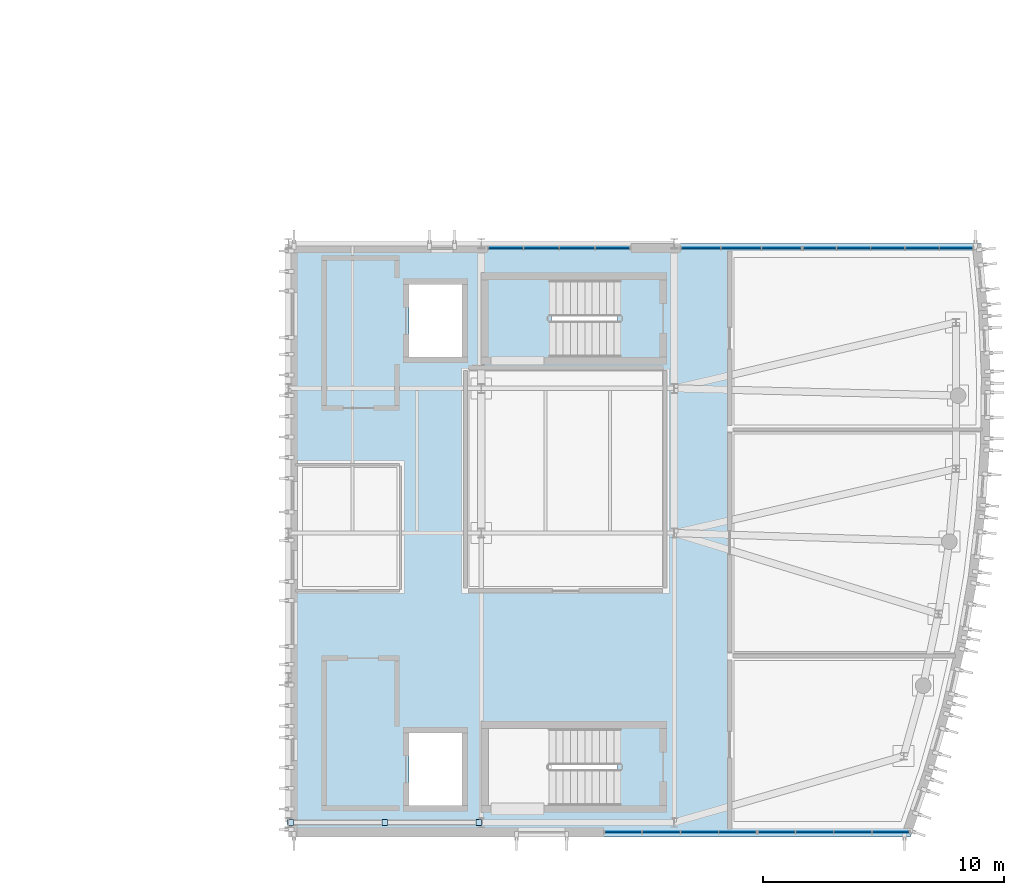
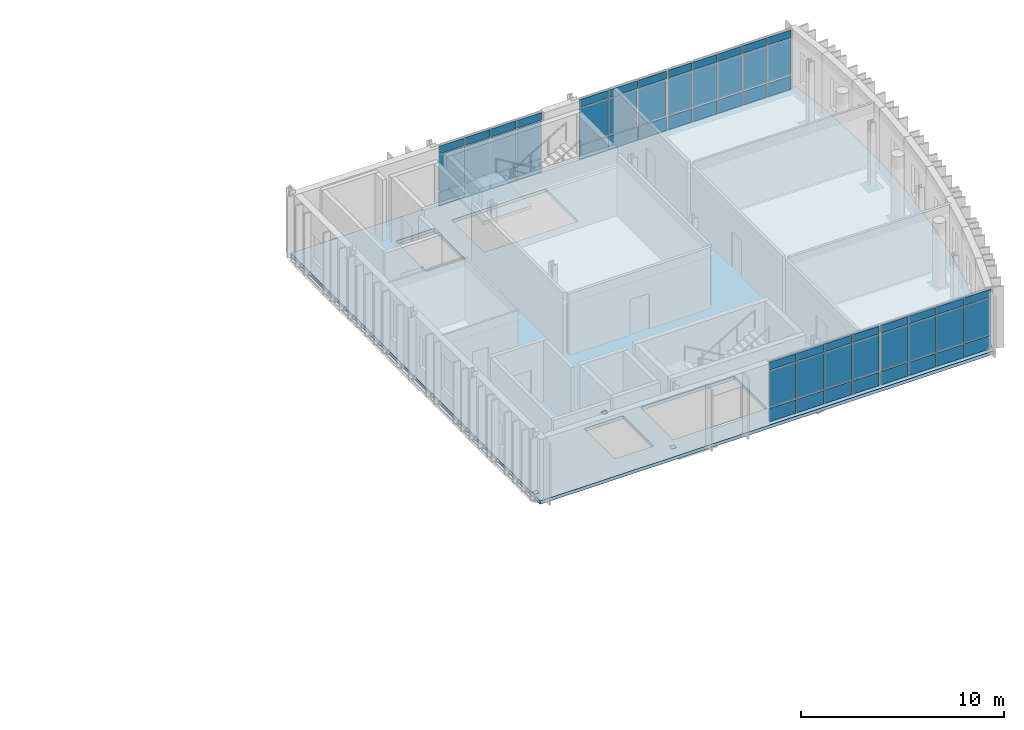
# One storey, part 6 of 14: 63 plates, 2 slabs, 6 elements without a shape of their own.
"""IFC4 building model written with IfcOpenShell, lengths in metres."""

from ifc_helpers import new_model, si_unit, direction, frame, origin, origin_2d, place, context, subcontext, project, spatial, polyline, rectangle, outline, extrude, material, layer, layer_set, type_object, element, aggregate, save


model = new_model("IFC4")

# Units and contexts
model_context = context("Model", 3, precision=1e-05, world=origin(), true_north=direction((0.0, 1.0)))
body_context = subcontext(model_context, "Body", "Model", "MODEL_VIEW")
ifc_project = project(units=[si_unit("LENGTHUNIT", "METRE"), si_unit("AREAUNIT", "SQUARE_METRE"), si_unit("VOLUMEUNIT", "CUBIC_METRE"), si_unit("PLANEANGLEUNIT", "RADIAN"), si_unit("MASSUNIT", "GRAM", prefix="KILO")], contexts=[model_context])

# Site, building, storey
site_placement = place(None, origin())
site = spatial("IfcSite", under=ifc_project, at=site_placement, CompositionType="ELEMENT")
building_placement = place(site_placement, origin())
building = spatial("IfcBuilding", under=site, at=building_placement, Name="Cymarion Research Institute", CompositionType="ELEMENT")
storey_placement = place(building_placement, frame((0.0, 0.0, 34.5)))
storey = spatial("IfcBuildingStorey", under=building, at=storey_placement, Name="L08", CompositionType="ELEMENT", Elevation=34.5)

# Slab
ifc_material_1 = material(Name="Concrete C35/45", Category="concrete")
ifc_layer_1 = layer(ifc_material_1, 0.199951171875)
ifc_layer_set_1 = layer_set([ifc_layer_1], Name="Concrete C35/45")
slab_type_1 = type_object("IfcSlabType", Name="COMPOSITE FLOOR SLAB SL-FL200 200MM", PredefinedType="FLOOR", material=ifc_layer_set_1)
slab_1_placement = place(storey_placement, frame((0.0, 0.0, -0.199951171875)))
element("IfcSlab", 1, at=slab_1_placement, inside=storey, type_object=slab_type_1, Name="L08 V1 floor slab", PredefinedType="FLOOR", context=body_context, shape_type="SweptSolid", body=[
    extrude(outline(polyline([(138.60009765625, 4.89990234375), (164.39990234375, 4.89990234375), (165.30810546875, 7.526611328125), (166.07470703125, 10.197998046875), (166.697509765625, 12.906494140625), (167.1748046875, 15.64453125), (167.5048828125, 18.404052734375), (167.68701171875, 21.177490234375), (167.720947265625, 23.956298828125), (167.606201171875, 26.733154296875), (167.343505859375, 29.5), (138.60009765625, 29.5), (138.60009765625, 4.89990234375)]), holes=[polyline([(152.260009765625, 9.39990234375), (146.89990234375, 9.39990234375), (146.89990234375, 6.199951171875), (152.260009765625, 6.199951171875), (152.260009765625, 9.39990234375)]), polyline([(143.60009765625, 6.199951171875), (145.800048828125, 6.199951171875), (145.800048828125, 9.199951171875), (143.60009765625, 9.199951171875), (143.60009765625, 6.199951171875)]), polyline([(152.260009765625, 28.0), (146.89990234375, 28.0), (146.89990234375, 24.800048828125), (152.260009765625, 24.800048828125), (152.260009765625, 28.0)]), polyline([(143.60009765625, 24.800048828125), (145.800048828125, 24.800048828125), (145.800048828125, 27.800048828125), (143.60009765625, 27.800048828125), (143.60009765625, 24.800048828125)])]), origin(), (0.0, 0.0, 1.0), 0.199951171875),
])

# Curtain wall, plates
ifc_material_2 = material(Name="Anodised aluminium unitised curtain wall with Low-E glazing", Category="aluminium")
curtain_wall_type_1 = type_object("IfcCurtainWallType", Name="UNITISED CURTAIN WALL CW66 6360X3700", PredefinedType="NOTDEFINED", material=ifc_material_2)
curtain_wall_1_placement = place(storey_placement, origin())
curtain_wall_1 = element("IfcCurtainWall", 2, at=curtain_wall_1_placement, inside=storey, type_object=curtain_wall_type_1, Name="L08 V1 unitised curtain wall CW66 #243", PredefinedType="NOTDEFINED")
ifc_material_3 = material(Name="Insulated anodised aluminium spandrel panel", Category="aluminium")
ifc_layer_2 = layer(ifc_material_3, 0.06005859375)
ifc_layer_set_2 = layer_set([ifc_layer_2], Name="Insulated anodised aluminium spandrel panel")
plate_type_1 = type_object("IfcPlateType", Name="INSULATED ALUMINIUM SPANDREL PANEL SP01 60MM", PredefinedType="SHEET", material=ifc_layer_set_2)
plate_1_placement = place(storey_placement, frame((152.490966796875, 5.090087890625, 0.06005859375), z_axis=(0.0, 0.0, 1.0), x_axis=(1.0, 0.0, 0.0)))
plate_1 = element("IfcPlate", 3, at=plate_1_placement, type_object=plate_type_1, Name="CW66 panel 1.1", PredefinedType="SHEET", context=body_context, shape_type="SweptSolid", body=[
    extrude(rectangle(XDim=1.499755859375, YDim=0.06005859375, at=origin_2d()), origin(), (0.0, 0.0, 1.0), 0.81005859375),
])
plate_2_placement = place(storey_placement, frame((152.490966796875, 5.090087890625, 3.179931640625), z_axis=(0.0, 0.0, 1.0), x_axis=(1.0, 0.0, 0.0)))
plate_2 = element("IfcPlate", 4, at=plate_2_placement, type_object=plate_type_1, Name="CW66 panel 1.3", PredefinedType="SHEET", context=body_context, shape_type="SweptSolid", body=[
    extrude(rectangle(XDim=1.499755859375, YDim=0.06005859375, at=origin_2d()), origin(), (0.0, 0.0, 1.0), 0.4599609375),
])
plate_3_placement = place(storey_placement, frame((154.06591796875, 5.090087890625, 0.06005859375), z_axis=(0.0, 0.0, 1.0), x_axis=(1.0, 0.0, 0.0)))
plate_3 = element("IfcPlate", 5, at=plate_3_placement, type_object=plate_type_1, Name="CW66 panel 2.1", PredefinedType="SHEET", context=body_context, shape_type="SweptSolid", body=[
    extrude(rectangle(XDim=1.52978515625, YDim=0.06005859375, at=origin_2d()), origin(), (0.0, 0.0, 1.0), 0.81005859375),
])
plate_4_placement = place(storey_placement, frame((154.06591796875, 5.090087890625, 3.179931640625), z_axis=(0.0, 0.0, 1.0), x_axis=(1.0, 0.0, 0.0)))
plate_4 = element("IfcPlate", 6, at=plate_4_placement, type_object=plate_type_1, Name="CW66 panel 2.3", PredefinedType="SHEET", context=body_context, shape_type="SweptSolid", body=[
    extrude(rectangle(XDim=1.52978515625, YDim=0.06005859375, at=origin_2d()), origin(), (0.0, 0.0, 1.0), 0.4599609375),
])
plate_5_placement = place(storey_placement, frame((155.65576171875, 5.090087890625, 0.06005859375), z_axis=(0.0, 0.0, 1.0), x_axis=(1.0, 0.0, 0.0)))
plate_5 = element("IfcPlate", 7, at=plate_5_placement, type_object=plate_type_1, Name="CW66 panel 3.1", PredefinedType="SHEET", context=body_context, shape_type="SweptSolid", body=[
    extrude(rectangle(XDim=1.52978515625, YDim=0.06005859375, at=origin_2d()), origin(), (0.0, 0.0, 1.0), 0.81005859375),
])
plate_6_placement = place(storey_placement, frame((155.65576171875, 5.090087890625, 3.179931640625), z_axis=(0.0, 0.0, 1.0), x_axis=(1.0, 0.0, 0.0)))
plate_6 = element("IfcPlate", 8, at=plate_6_placement, type_object=plate_type_1, Name="CW66 panel 3.3", PredefinedType="SHEET", context=body_context, shape_type="SweptSolid", body=[
    extrude(rectangle(XDim=1.52978515625, YDim=0.06005859375, at=origin_2d()), origin(), (0.0, 0.0, 1.0), 0.4599609375),
])
plate_7_placement = place(storey_placement, frame((157.23046875, 5.090087890625, 0.06005859375), z_axis=(0.0, 0.0, 1.0), x_axis=(1.0, 0.0, 0.0)))
plate_7 = element("IfcPlate", 9, at=plate_7_placement, type_object=plate_type_1, Name="CW66 panel 4.1", PredefinedType="SHEET", context=body_context, shape_type="SweptSolid", body=[
    extrude(rectangle(XDim=1.499755859375, YDim=0.06005859375, at=origin_2d()), origin(), (0.0, 0.0, 1.0), 0.81005859375),
])
plate_8_placement = place(storey_placement, frame((157.23046875, 5.090087890625, 3.179931640625), z_axis=(0.0, 0.0, 1.0), x_axis=(1.0, 0.0, 0.0)))
plate_8 = element("IfcPlate", 10, at=plate_8_placement, type_object=plate_type_1, Name="CW66 panel 4.3", PredefinedType="SHEET", context=body_context, shape_type="SweptSolid", body=[
    extrude(rectangle(XDim=1.499755859375, YDim=0.06005859375, at=origin_2d()), origin(), (0.0, 0.0, 1.0), 0.4599609375),
])

curtain_wall_2_placement = place(storey_placement, origin())
curtain_wall_2 = element("IfcCurtainWall", 11, at=curtain_wall_2_placement, inside=storey, type_object=curtain_wall_type_1, Name="L08 V1 unitised curtain wall CW66 #244", PredefinedType="NOTDEFINED")
plate_9_placement = place(storey_placement, frame((158.850341796875, 5.090087890625, 0.06005859375), z_axis=(0.0, 0.0, 1.0), x_axis=(1.0, 0.0, 0.0)))
plate_9 = element("IfcPlate", 12, at=plate_9_placement, type_object=plate_type_1, Name="CW66 panel 1.1", PredefinedType="SHEET", context=body_context, shape_type="SweptSolid", body=[
    extrude(rectangle(XDim=1.499755859375, YDim=0.06005859375, at=origin_2d()), origin(), (0.0, 0.0, 1.0), 0.81005859375),
])
plate_10_placement = place(storey_placement, frame((158.850341796875, 5.090087890625, 3.179931640625), z_axis=(0.0, 0.0, 1.0), x_axis=(1.0, 0.0, 0.0)))
plate_10 = element("IfcPlate", 13, at=plate_10_placement, type_object=plate_type_1, Name="CW66 panel 1.3", PredefinedType="SHEET", context=body_context, shape_type="SweptSolid", body=[
    extrude(rectangle(XDim=1.499755859375, YDim=0.06005859375, at=origin_2d()), origin(), (0.0, 0.0, 1.0), 0.4599609375),
])
plate_11_placement = place(storey_placement, frame((160.42529296875, 5.090087890625, 0.06005859375), z_axis=(0.0, 0.0, 1.0), x_axis=(1.0, 0.0, 0.0)))
plate_11 = element("IfcPlate", 14, at=plate_11_placement, type_object=plate_type_1, Name="CW66 panel 2.1", PredefinedType="SHEET", context=body_context, shape_type="SweptSolid", body=[
    extrude(rectangle(XDim=1.52978515625, YDim=0.06005859375, at=origin_2d()), origin(), (0.0, 0.0, 1.0), 0.81005859375),
])
plate_12_placement = place(storey_placement, frame((160.42529296875, 5.090087890625, 3.179931640625), z_axis=(0.0, 0.0, 1.0), x_axis=(1.0, 0.0, 0.0)))
plate_12 = element("IfcPlate", 15, at=plate_12_placement, type_object=plate_type_1, Name="CW66 panel 2.3", PredefinedType="SHEET", context=body_context, shape_type="SweptSolid", body=[
    extrude(rectangle(XDim=1.52978515625, YDim=0.06005859375, at=origin_2d()), origin(), (0.0, 0.0, 1.0), 0.4599609375),
])
plate_13_placement = place(storey_placement, frame((162.01513671875, 5.090087890625, 0.06005859375), z_axis=(0.0, 0.0, 1.0), x_axis=(1.0, 0.0, 0.0)))
plate_13 = element("IfcPlate", 16, at=plate_13_placement, type_object=plate_type_1, Name="CW66 panel 3.1", PredefinedType="SHEET", context=body_context, shape_type="SweptSolid", body=[
    extrude(rectangle(XDim=1.52978515625, YDim=0.06005859375, at=origin_2d()), origin(), (0.0, 0.0, 1.0), 0.81005859375),
])
plate_14_placement = place(storey_placement, frame((162.01513671875, 5.090087890625, 3.179931640625), z_axis=(0.0, 0.0, 1.0), x_axis=(1.0, 0.0, 0.0)))
plate_14 = element("IfcPlate", 17, at=plate_14_placement, type_object=plate_type_1, Name="CW66 panel 3.3", PredefinedType="SHEET", context=body_context, shape_type="SweptSolid", body=[
    extrude(rectangle(XDim=1.52978515625, YDim=0.06005859375, at=origin_2d()), origin(), (0.0, 0.0, 1.0), 0.4599609375),
])
plate_15_placement = place(storey_placement, frame((163.590087890625, 5.090087890625, 0.06005859375), z_axis=(0.0, 0.0, 1.0), x_axis=(1.0, 0.0, 0.0)))
plate_15 = element("IfcPlate", 18, at=plate_15_placement, type_object=plate_type_1, Name="CW66 panel 4.1", PredefinedType="SHEET", context=body_context, shape_type="SweptSolid", body=[
    extrude(rectangle(XDim=1.499755859375, YDim=0.06005859375, at=origin_2d()), origin(), (0.0, 0.0, 1.0), 0.81005859375),
])
plate_16_placement = place(storey_placement, frame((163.590087890625, 5.090087890625, 3.179931640625), z_axis=(0.0, 0.0, 1.0), x_axis=(1.0, 0.0, 0.0)))
plate_16 = element("IfcPlate", 19, at=plate_16_placement, type_object=plate_type_1, Name="CW66 panel 4.3", PredefinedType="SHEET", context=body_context, shape_type="SweptSolid", body=[
    extrude(rectangle(XDim=1.499755859375, YDim=0.06005859375, at=origin_2d()), origin(), (0.0, 0.0, 1.0), 0.4599609375),
])

curtain_wall_type_2 = type_object("IfcCurtainWallType", Name="UNITISED CURTAIN WALL CW67 7100X3700", PredefinedType="NOTDEFINED", material=ifc_material_2)
curtain_wall_3_placement = place(storey_placement, origin())
curtain_wall_3 = element("IfcCurtainWall", 20, at=curtain_wall_3_placement, inside=storey, type_object=curtain_wall_type_2, Name="L08 V1 unitised curtain wall CW67 #245", PredefinedType="NOTDEFINED")
plate_17_placement = place(storey_placement, frame((166.29052734375, 29.31005859375, 0.06005859375), z_axis=(0.0, 0.0, 1.0), x_axis=(-1.0, 0.0, 0.0)))
plate_17 = element("IfcPlate", 21, at=plate_17_placement, type_object=plate_type_1, Name="CW67 panel 1.1", PredefinedType="SHEET", context=body_context, shape_type="SweptSolid", body=[
    extrude(rectangle(XDim=1.330810546875, YDim=0.06005859375, at=origin_2d()), origin(), (0.0, 0.0, 1.0), 0.81005859375),
])
plate_18_placement = place(storey_placement, frame((166.29052734375, 29.31005859375, 3.179931640625), z_axis=(0.0, 0.0, 1.0), x_axis=(-1.0, 0.0, 0.0)))
plate_18 = element("IfcPlate", 22, at=plate_18_placement, type_object=plate_type_1, Name="CW67 panel 1.3", PredefinedType="SHEET", context=body_context, shape_type="SweptSolid", body=[
    extrude(rectangle(XDim=1.330810546875, YDim=0.06005859375, at=origin_2d()), origin(), (0.0, 0.0, 1.0), 0.4599609375),
])
plate_19_placement = place(storey_placement, frame((164.884765625, 29.31005859375, 0.06005859375), z_axis=(0.0, 0.0, 1.0), x_axis=(-1.0, 0.0, 0.0)))
plate_19 = element("IfcPlate", 23, at=plate_19_placement, type_object=plate_type_1, Name="CW67 panel 2.1", PredefinedType="SHEET", context=body_context, shape_type="SweptSolid", body=[
    extrude(rectangle(XDim=1.36083984375, YDim=0.06005859375, at=origin_2d()), origin(), (0.0, 0.0, 1.0), 0.81005859375),
])
plate_20_placement = place(storey_placement, frame((164.884765625, 29.31005859375, 3.179931640625), z_axis=(0.0, 0.0, 1.0), x_axis=(-1.0, 0.0, 0.0)))
plate_20 = element("IfcPlate", 24, at=plate_20_placement, type_object=plate_type_1, Name="CW67 panel 2.3", PredefinedType="SHEET", context=body_context, shape_type="SweptSolid", body=[
    extrude(rectangle(XDim=1.36083984375, YDim=0.06005859375, at=origin_2d()), origin(), (0.0, 0.0, 1.0), 0.4599609375),
])
plate_21_placement = place(storey_placement, frame((163.4638671875, 29.31005859375, 0.06005859375), z_axis=(0.0, 0.0, 1.0), x_axis=(-1.0, 0.0, 0.0)))
plate_21 = element("IfcPlate", 25, at=plate_21_placement, type_object=plate_type_1, Name="CW67 panel 3.1", PredefinedType="SHEET", context=body_context, shape_type="SweptSolid", body=[
    extrude(rectangle(XDim=1.36083984375, YDim=0.06005859375, at=origin_2d()), origin(), (0.0, 0.0, 1.0), 0.81005859375),
])
plate_22_placement = place(storey_placement, frame((163.4638671875, 29.31005859375, 3.179931640625), z_axis=(0.0, 0.0, 1.0), x_axis=(-1.0, 0.0, 0.0)))
plate_22 = element("IfcPlate", 26, at=plate_22_placement, type_object=plate_type_1, Name="CW67 panel 3.3", PredefinedType="SHEET", context=body_context, shape_type="SweptSolid", body=[
    extrude(rectangle(XDim=1.36083984375, YDim=0.06005859375, at=origin_2d()), origin(), (0.0, 0.0, 1.0), 0.4599609375),
])
plate_23_placement = place(storey_placement, frame((162.043212890625, 29.31005859375, 0.06005859375), z_axis=(0.0, 0.0, 1.0), x_axis=(-1.0, 0.0, 0.0)))
plate_23 = element("IfcPlate", 27, at=plate_23_placement, type_object=plate_type_1, Name="CW67 panel 4.1", PredefinedType="SHEET", context=body_context, shape_type="SweptSolid", body=[
    extrude(rectangle(XDim=1.36083984375, YDim=0.06005859375, at=origin_2d()), origin(), (0.0, 0.0, 1.0), 0.81005859375),
])
plate_24_placement = place(storey_placement, frame((162.043212890625, 29.31005859375, 3.179931640625), z_axis=(0.0, 0.0, 1.0), x_axis=(-1.0, 0.0, 0.0)))
plate_24 = element("IfcPlate", 28, at=plate_24_placement, type_object=plate_type_1, Name="CW67 panel 4.3", PredefinedType="SHEET", context=body_context, shape_type="SweptSolid", body=[
    extrude(rectangle(XDim=1.36083984375, YDim=0.06005859375, at=origin_2d()), origin(), (0.0, 0.0, 1.0), 0.4599609375),
])
plate_25_placement = place(storey_placement, frame((160.63720703125, 29.31005859375, 0.06005859375), z_axis=(0.0, 0.0, 1.0), x_axis=(-1.0, 0.0, 0.0)))
plate_25 = element("IfcPlate", 29, at=plate_25_placement, type_object=plate_type_1, Name="CW67 panel 5.1", PredefinedType="SHEET", context=body_context, shape_type="SweptSolid", body=[
    extrude(rectangle(XDim=1.330810546875, YDim=0.06005859375, at=origin_2d()), origin(), (0.0, 0.0, 1.0), 0.81005859375),
])
plate_26_placement = place(storey_placement, frame((160.63720703125, 29.31005859375, 3.179931640625), z_axis=(0.0, 0.0, 1.0), x_axis=(-1.0, 0.0, 0.0)))
plate_26 = element("IfcPlate", 30, at=plate_26_placement, type_object=plate_type_1, Name="CW67 panel 5.3", PredefinedType="SHEET", context=body_context, shape_type="SweptSolid", body=[
    extrude(rectangle(XDim=1.330810546875, YDim=0.06005859375, at=origin_2d()), origin(), (0.0, 0.0, 1.0), 0.4599609375),
])

curtain_wall_type_3 = type_object("IfcCurtainWallType", Name="UNITISED CURTAIN WALL CW68 5050X3700", PredefinedType="NOTDEFINED", material=ifc_material_2)
curtain_wall_4_placement = place(storey_placement, origin())
curtain_wall_4 = element("IfcCurtainWall", 31, at=curtain_wall_4_placement, inside=storey, type_object=curtain_wall_type_3, Name="L08 V1 unitised curtain wall CW68 #246", PredefinedType="NOTDEFINED")
plate_27_placement = place(storey_placement, frame((159.054931640625, 29.31005859375, 0.06005859375), z_axis=(0.0, 0.0, 1.0), x_axis=(-1.0, 0.0, 0.0)))
plate_27 = element("IfcPlate", 32, at=plate_27_placement, type_object=plate_type_1, Name="CW68 panel 1.1", PredefinedType="SHEET", context=body_context, shape_type="SweptSolid", body=[
    extrude(rectangle(XDim=1.593994140625, YDim=0.06005859375, at=origin_2d()), origin(), (0.0, 0.0, 1.0), 0.81005859375),
])
plate_28_placement = place(storey_placement, frame((159.054931640625, 29.31005859375, 3.179931640625), z_axis=(0.0, 0.0, 1.0), x_axis=(-1.0, 0.0, 0.0)))
plate_28 = element("IfcPlate", 33, at=plate_28_placement, type_object=plate_type_1, Name="CW68 panel 1.3", PredefinedType="SHEET", context=body_context, shape_type="SweptSolid", body=[
    extrude(rectangle(XDim=1.593994140625, YDim=0.06005859375, at=origin_2d()), origin(), (0.0, 0.0, 1.0), 0.4599609375),
])
plate_29_placement = place(storey_placement, frame((157.385986328125, 29.31005859375, 0.06005859375), z_axis=(0.0, 0.0, 1.0), x_axis=(-1.0, 0.0, 0.0)))
plate_29 = element("IfcPlate", 34, at=plate_29_placement, type_object=plate_type_1, Name="CW68 panel 2.1", PredefinedType="SHEET", context=body_context, shape_type="SweptSolid", body=[
    extrude(rectangle(XDim=1.6240234375, YDim=0.06005859375, at=origin_2d()), origin(), (0.0, 0.0, 1.0), 0.81005859375),
])
plate_30_placement = place(storey_placement, frame((157.385986328125, 29.31005859375, 3.179931640625), z_axis=(0.0, 0.0, 1.0), x_axis=(-1.0, 0.0, 0.0)))
plate_30 = element("IfcPlate", 35, at=plate_30_placement, type_object=plate_type_1, Name="CW68 panel 2.3", PredefinedType="SHEET", context=body_context, shape_type="SweptSolid", body=[
    extrude(rectangle(XDim=1.6240234375, YDim=0.06005859375, at=origin_2d()), origin(), (0.0, 0.0, 1.0), 0.4599609375),
])
plate_31_placement = place(storey_placement, frame((155.717041015625, 29.31005859375, 0.06005859375), z_axis=(0.0, 0.0, 1.0), x_axis=(-1.0, 0.0, 0.0)))
plate_31 = element("IfcPlate", 36, at=plate_31_placement, type_object=plate_type_1, Name="CW68 panel 3.1", PredefinedType="SHEET", context=body_context, shape_type="SweptSolid", body=[
    extrude(rectangle(XDim=1.593994140625, YDim=0.06005859375, at=origin_2d()), origin(), (0.0, 0.0, 1.0), 0.81005859375),
])
plate_32_placement = place(storey_placement, frame((155.717041015625, 29.31005859375, 3.179931640625), z_axis=(0.0, 0.0, 1.0), x_axis=(-1.0, 0.0, 0.0)))
plate_32 = element("IfcPlate", 37, at=plate_32_placement, type_object=plate_type_1, Name="CW68 panel 3.3", PredefinedType="SHEET", context=body_context, shape_type="SweptSolid", body=[
    extrude(rectangle(XDim=1.593994140625, YDim=0.06005859375, at=origin_2d()), origin(), (0.0, 0.0, 1.0), 0.4599609375),
])

curtain_wall_type_4 = type_object("IfcCurtainWallType", Name="UNITISED CURTAIN WALL CW69 5950X3700", PredefinedType="NOTDEFINED", material=ifc_material_2)
curtain_wall_5_placement = place(storey_placement, origin())
curtain_wall_5 = element("IfcCurtainWall", 38, at=curtain_wall_5_placement, inside=storey, type_object=curtain_wall_type_4, Name="L08 V1 unitised curtain wall CW69 #247", PredefinedType="NOTDEFINED")
plate_33_placement = place(storey_placement, frame((152.04931640625, 29.31005859375, 0.06005859375), z_axis=(0.0, 0.0, 1.0), x_axis=(-1.0, 0.0, 0.0)))
plate_33 = element("IfcPlate", 39, at=plate_33_placement, type_object=plate_type_1, Name="CW69 panel 1.1", PredefinedType="SHEET", context=body_context, shape_type="SweptSolid", body=[
    extrude(rectangle(XDim=1.39697265625, YDim=0.06005859375, at=origin_2d()), origin(), (0.0, 0.0, 1.0), 0.81005859375),
])
plate_34_placement = place(storey_placement, frame((152.04931640625, 29.31005859375, 3.179931640625), z_axis=(0.0, 0.0, 1.0), x_axis=(-1.0, 0.0, 0.0)))
plate_34 = element("IfcPlate", 40, at=plate_34_placement, type_object=plate_type_1, Name="CW69 panel 1.3", PredefinedType="SHEET", context=body_context, shape_type="SweptSolid", body=[
    extrude(rectangle(XDim=1.39697265625, YDim=0.06005859375, at=origin_2d()), origin(), (0.0, 0.0, 1.0), 0.4599609375),
])
plate_35_placement = place(storey_placement, frame((150.577392578125, 29.31005859375, 0.06005859375), z_axis=(0.0, 0.0, 1.0), x_axis=(-1.0, 0.0, 0.0)))
plate_35 = element("IfcPlate", 41, at=plate_35_placement, type_object=plate_type_1, Name="CW69 panel 2.1", PredefinedType="SHEET", context=body_context, shape_type="SweptSolid", body=[
    extrude(rectangle(XDim=1.427001953125, YDim=0.06005859375, at=origin_2d()), origin(), (0.0, 0.0, 1.0), 0.81005859375),
])
plate_36_placement = place(storey_placement, frame((150.577392578125, 29.31005859375, 3.179931640625), z_axis=(0.0, 0.0, 1.0), x_axis=(-1.0, 0.0, 0.0)))
plate_36 = element("IfcPlate", 42, at=plate_36_placement, type_object=plate_type_1, Name="CW69 panel 2.3", PredefinedType="SHEET", context=body_context, shape_type="SweptSolid", body=[
    extrude(rectangle(XDim=1.427001953125, YDim=0.06005859375, at=origin_2d()), origin(), (0.0, 0.0, 1.0), 0.4599609375),
])
plate_37_placement = place(storey_placement, frame((149.090576171875, 29.31005859375, 0.06005859375), z_axis=(0.0, 0.0, 1.0), x_axis=(-1.0, 0.0, 0.0)))
plate_37 = element("IfcPlate", 43, at=plate_37_placement, type_object=plate_type_1, Name="CW69 panel 3.1", PredefinedType="SHEET", context=body_context, shape_type="SweptSolid", body=[
    extrude(rectangle(XDim=1.427001953125, YDim=0.06005859375, at=origin_2d()), origin(), (0.0, 0.0, 1.0), 0.81005859375),
])
plate_38_placement = place(storey_placement, frame((149.090576171875, 29.31005859375, 3.179931640625), z_axis=(0.0, 0.0, 1.0), x_axis=(-1.0, 0.0, 0.0)))
plate_38 = element("IfcPlate", 44, at=plate_38_placement, type_object=plate_type_1, Name="CW69 panel 3.3", PredefinedType="SHEET", context=body_context, shape_type="SweptSolid", body=[
    extrude(rectangle(XDim=1.427001953125, YDim=0.06005859375, at=origin_2d()), origin(), (0.0, 0.0, 1.0), 0.4599609375),
])
plate_39_placement = place(storey_placement, frame((147.618408203125, 29.31005859375, 0.06005859375), z_axis=(0.0, 0.0, 1.0), x_axis=(-1.0, 0.0, 0.0)))
plate_39 = element("IfcPlate", 45, at=plate_39_placement, type_object=plate_type_1, Name="CW69 panel 4.1", PredefinedType="SHEET", context=body_context, shape_type="SweptSolid", body=[
    extrude(rectangle(XDim=1.39697265625, YDim=0.06005859375, at=origin_2d()), origin(), (0.0, 0.0, 1.0), 0.81005859375),
])
plate_40_placement = place(storey_placement, frame((147.618408203125, 29.31005859375, 3.179931640625), z_axis=(0.0, 0.0, 1.0), x_axis=(-1.0, 0.0, 0.0)))
plate_40 = element("IfcPlate", 46, at=plate_40_placement, type_object=plate_type_1, Name="CW69 panel 4.3", PredefinedType="SHEET", context=body_context, shape_type="SweptSolid", body=[
    extrude(rectangle(XDim=1.39697265625, YDim=0.06005859375, at=origin_2d()), origin(), (0.0, 0.0, 1.0), 0.4599609375),
])

# Stair, slab
stair_type = type_object("IfcStairType", Name="REINFORCED CONCRETE DOGLEG STAIR STR-3900", PredefinedType="HALF_TURN_STAIR", material=ifc_material_1)
stair_placement = place(storey_placement, origin())
stair = element("IfcStair", 47, at=stair_placement, inside=storey, type_object=stair_type, Name="L08 Core C2 Smoke-Proof Exit Stair ST2", PredefinedType="HALF_TURN_STAIR")
ifc_layer_3 = layer(ifc_material_1, 0.199951171875)
ifc_layer_set_3 = layer_set([ifc_layer_3], Name="Concrete C35/45")
slab_type_2 = type_object("IfcSlabType", Name="REINFORCED CONCRETE STAIR LANDING LDG200", PredefinedType="LANDING", material=ifc_layer_set_3)
slab_2_placement = place(storey_placement, frame((0.0, 0.0, 1.75)))
slab_2 = element("IfcSlab", 48, at=slab_2_placement, type_object=slab_type_2, Name="ST2 landing 1", PredefinedType="LANDING", context=body_context, shape_type="SweptSolid", body=[
    extrude(outline(polyline([(149.52001953125, 28.1201171875), (149.52001953125, 24.679931640625), (146.780029296875, 24.679931640625), (146.780029296875, 28.1201171875), (149.52001953125, 28.1201171875)])), origin(), (0.0, 0.0, 1.0), 0.199951171875),
])
aggregate(stair, [slab_2])

# Plate
ifc_material_4 = material(Name="Low-E double solar-control glazing", Category="glass")
ifc_layer_4 = layer(ifc_material_4, 0.035888671875)
ifc_layer_set_4 = layer_set([ifc_layer_4], Name="Low-E double solar-control glazing")
plate_type_2 = type_object("IfcPlateType", Name="SOLAR CONTROL GLAZED VISION PANEL GP01 36MM", PredefinedType="CURTAIN_PANEL", material=ifc_layer_set_4)
plate_41_placement = place(storey_placement, frame((152.490966796875, 5.090087890625, 0.929931640625), z_axis=(0.0, 0.0, 1.0), x_axis=(1.0, 0.0, 0.0)))
plate_41 = element("IfcPlate", 49, at=plate_41_placement, type_object=plate_type_2, Name="CW66 panel 1.2", PredefinedType="CURTAIN_PANEL", context=body_context, shape_type="SweptSolid", body=[
    extrude(rectangle(XDim=1.499755859375, YDim=0.035888671875, at=origin_2d()), origin(), (0.0, 0.0, 1.0), 2.18994140625),
])

plate_42_placement = place(storey_placement, frame((154.06591796875, 5.090087890625, 0.929931640625), z_axis=(0.0, 0.0, 1.0), x_axis=(1.0, 0.0, 0.0)))
plate_42 = element("IfcPlate", 50, at=plate_42_placement, type_object=plate_type_2, Name="CW66 panel 2.2", PredefinedType="CURTAIN_PANEL", context=body_context, shape_type="SweptSolid", body=[
    extrude(rectangle(XDim=1.52978515625, YDim=0.035888671875, at=origin_2d()), origin(), (0.0, 0.0, 1.0), 2.18994140625),
])

plate_43_placement = place(storey_placement, frame((155.65576171875, 5.090087890625, 0.929931640625), z_axis=(0.0, 0.0, 1.0), x_axis=(1.0, 0.0, 0.0)))
plate_43 = element("IfcPlate", 51, at=plate_43_placement, type_object=plate_type_2, Name="CW66 panel 3.2", PredefinedType="CURTAIN_PANEL", context=body_context, shape_type="SweptSolid", body=[
    extrude(rectangle(XDim=1.52978515625, YDim=0.035888671875, at=origin_2d()), origin(), (0.0, 0.0, 1.0), 2.18994140625),
])

plate_44_placement = place(storey_placement, frame((157.23046875, 5.090087890625, 0.929931640625), z_axis=(0.0, 0.0, 1.0), x_axis=(1.0, 0.0, 0.0)))
plate_44 = element("IfcPlate", 52, at=plate_44_placement, type_object=plate_type_2, Name="CW66 panel 4.2", PredefinedType="CURTAIN_PANEL", context=body_context, shape_type="SweptSolid", body=[
    extrude(rectangle(XDim=1.499755859375, YDim=0.035888671875, at=origin_2d()), origin(), (0.0, 0.0, 1.0), 2.18994140625),
])

aggregate(curtain_wall_1, [plate_1, plate_41, plate_2, plate_3, plate_42, plate_4, plate_5, plate_43, plate_6, plate_7, plate_44, plate_8])

plate_45_placement = place(storey_placement, frame((158.850341796875, 5.090087890625, 0.929931640625), z_axis=(0.0, 0.0, 1.0), x_axis=(1.0, 0.0, 0.0)))
plate_45 = element("IfcPlate", 53, at=plate_45_placement, type_object=plate_type_2, Name="CW66 panel 1.2", PredefinedType="CURTAIN_PANEL", context=body_context, shape_type="SweptSolid", body=[
    extrude(rectangle(XDim=1.499755859375, YDim=0.035888671875, at=origin_2d()), origin(), (0.0, 0.0, 1.0), 2.18994140625),
])

plate_46_placement = place(storey_placement, frame((160.42529296875, 5.090087890625, 0.929931640625), z_axis=(0.0, 0.0, 1.0), x_axis=(1.0, 0.0, 0.0)))
plate_46 = element("IfcPlate", 54, at=plate_46_placement, type_object=plate_type_2, Name="CW66 panel 2.2", PredefinedType="CURTAIN_PANEL", context=body_context, shape_type="SweptSolid", body=[
    extrude(rectangle(XDim=1.52978515625, YDim=0.035888671875, at=origin_2d()), origin(), (0.0, 0.0, 1.0), 2.18994140625),
])

plate_47_placement = place(storey_placement, frame((162.01513671875, 5.090087890625, 0.929931640625), z_axis=(0.0, 0.0, 1.0), x_axis=(1.0, 0.0, 0.0)))
plate_47 = element("IfcPlate", 55, at=plate_47_placement, type_object=plate_type_2, Name="CW66 panel 3.2", PredefinedType="CURTAIN_PANEL", context=body_context, shape_type="SweptSolid", body=[
    extrude(rectangle(XDim=1.52978515625, YDim=0.035888671875, at=origin_2d()), origin(), (0.0, 0.0, 1.0), 2.18994140625),
])

plate_48_placement = place(storey_placement, frame((163.590087890625, 5.090087890625, 0.929931640625), z_axis=(0.0, 0.0, 1.0), x_axis=(1.0, 0.0, 0.0)))
plate_48 = element("IfcPlate", 56, at=plate_48_placement, type_object=plate_type_2, Name="CW66 panel 4.2", PredefinedType="CURTAIN_PANEL", context=body_context, shape_type="SweptSolid", body=[
    extrude(rectangle(XDim=1.499755859375, YDim=0.035888671875, at=origin_2d()), origin(), (0.0, 0.0, 1.0), 2.18994140625),
])

aggregate(curtain_wall_2, [plate_9, plate_45, plate_10, plate_11, plate_46, plate_12, plate_13, plate_47, plate_14, plate_15, plate_48, plate_16])

plate_49_placement = place(storey_placement, frame((166.29052734375, 29.31005859375, 0.929931640625), z_axis=(0.0, 0.0, 1.0), x_axis=(-1.0, 0.0, 0.0)))
plate_49 = element("IfcPlate", 57, at=plate_49_placement, type_object=plate_type_2, Name="CW67 panel 1.2", PredefinedType="CURTAIN_PANEL", context=body_context, shape_type="SweptSolid", body=[
    extrude(rectangle(XDim=1.330810546875, YDim=0.035888671875, at=origin_2d()), origin(), (0.0, 0.0, 1.0), 2.18994140625),
])

plate_50_placement = place(storey_placement, frame((164.884765625, 29.31005859375, 0.929931640625), z_axis=(0.0, 0.0, 1.0), x_axis=(-1.0, 0.0, 0.0)))
plate_50 = element("IfcPlate", 58, at=plate_50_placement, type_object=plate_type_2, Name="CW67 panel 2.2", PredefinedType="CURTAIN_PANEL", context=body_context, shape_type="SweptSolid", body=[
    extrude(rectangle(XDim=1.36083984375, YDim=0.035888671875, at=origin_2d()), origin(), (0.0, 0.0, 1.0), 2.18994140625),
])

plate_51_placement = place(storey_placement, frame((163.4638671875, 29.31005859375, 0.929931640625), z_axis=(0.0, 0.0, 1.0), x_axis=(-1.0, 0.0, 0.0)))
plate_51 = element("IfcPlate", 59, at=plate_51_placement, type_object=plate_type_2, Name="CW67 panel 3.2", PredefinedType="CURTAIN_PANEL", context=body_context, shape_type="SweptSolid", body=[
    extrude(rectangle(XDim=1.36083984375, YDim=0.035888671875, at=origin_2d()), origin(), (0.0, 0.0, 1.0), 2.18994140625),
])

plate_52_placement = place(storey_placement, frame((162.043212890625, 29.31005859375, 0.929931640625), z_axis=(0.0, 0.0, 1.0), x_axis=(-1.0, 0.0, 0.0)))
plate_52 = element("IfcPlate", 60, at=plate_52_placement, type_object=plate_type_2, Name="CW67 panel 4.2", PredefinedType="CURTAIN_PANEL", context=body_context, shape_type="SweptSolid", body=[
    extrude(rectangle(XDim=1.36083984375, YDim=0.035888671875, at=origin_2d()), origin(), (0.0, 0.0, 1.0), 2.18994140625),
])

plate_53_placement = place(storey_placement, frame((160.63720703125, 29.31005859375, 0.929931640625), z_axis=(0.0, 0.0, 1.0), x_axis=(-1.0, 0.0, 0.0)))
plate_53 = element("IfcPlate", 61, at=plate_53_placement, type_object=plate_type_2, Name="CW67 panel 5.2", PredefinedType="CURTAIN_PANEL", context=body_context, shape_type="SweptSolid", body=[
    extrude(rectangle(XDim=1.330810546875, YDim=0.035888671875, at=origin_2d()), origin(), (0.0, 0.0, 1.0), 2.18994140625),
])

aggregate(curtain_wall_3, [plate_17, plate_49, plate_18, plate_19, plate_50, plate_20, plate_21, plate_51, plate_22, plate_23, plate_52, plate_24, plate_25, plate_53, plate_26])

plate_54_placement = place(storey_placement, frame((159.054931640625, 29.31005859375, 0.929931640625), z_axis=(0.0, 0.0, 1.0), x_axis=(-1.0, 0.0, 0.0)))
plate_54 = element("IfcPlate", 62, at=plate_54_placement, type_object=plate_type_2, Name="CW68 panel 1.2", PredefinedType="CURTAIN_PANEL", context=body_context, shape_type="SweptSolid", body=[
    extrude(rectangle(XDim=1.593994140625, YDim=0.035888671875, at=origin_2d()), origin(), (0.0, 0.0, 1.0), 2.18994140625),
])

plate_55_placement = place(storey_placement, frame((157.385986328125, 29.31005859375, 0.929931640625), z_axis=(0.0, 0.0, 1.0), x_axis=(-1.0, 0.0, 0.0)))
plate_55 = element("IfcPlate", 63, at=plate_55_placement, type_object=plate_type_2, Name="CW68 panel 2.2", PredefinedType="CURTAIN_PANEL", context=body_context, shape_type="SweptSolid", body=[
    extrude(rectangle(XDim=1.6240234375, YDim=0.035888671875, at=origin_2d()), origin(), (0.0, 0.0, 1.0), 2.18994140625),
])

plate_56_placement = place(storey_placement, frame((155.717041015625, 29.31005859375, 0.929931640625), z_axis=(0.0, 0.0, 1.0), x_axis=(-1.0, 0.0, 0.0)))
plate_56 = element("IfcPlate", 64, at=plate_56_placement, type_object=plate_type_2, Name="CW68 panel 3.2", PredefinedType="CURTAIN_PANEL", context=body_context, shape_type="SweptSolid", body=[
    extrude(rectangle(XDim=1.593994140625, YDim=0.035888671875, at=origin_2d()), origin(), (0.0, 0.0, 1.0), 2.18994140625),
])

aggregate(curtain_wall_4, [plate_27, plate_54, plate_28, plate_29, plate_55, plate_30, plate_31, plate_56, plate_32])

plate_57_placement = place(storey_placement, frame((152.04931640625, 29.31005859375, 0.929931640625), z_axis=(0.0, 0.0, 1.0), x_axis=(-1.0, 0.0, 0.0)))
plate_57 = element("IfcPlate", 65, at=plate_57_placement, type_object=plate_type_2, Name="CW69 panel 1.2", PredefinedType="CURTAIN_PANEL", context=body_context, shape_type="SweptSolid", body=[
    extrude(rectangle(XDim=1.39697265625, YDim=0.035888671875, at=origin_2d()), origin(), (0.0, 0.0, 1.0), 2.18994140625),
])

plate_58_placement = place(storey_placement, frame((150.577392578125, 29.31005859375, 0.929931640625), z_axis=(0.0, 0.0, 1.0), x_axis=(-1.0, 0.0, 0.0)))
plate_58 = element("IfcPlate", 66, at=plate_58_placement, type_object=plate_type_2, Name="CW69 panel 2.2", PredefinedType="CURTAIN_PANEL", context=body_context, shape_type="SweptSolid", body=[
    extrude(rectangle(XDim=1.427001953125, YDim=0.035888671875, at=origin_2d()), origin(), (0.0, 0.0, 1.0), 2.18994140625),
])

plate_59_placement = place(storey_placement, frame((149.090576171875, 29.31005859375, 0.929931640625), z_axis=(0.0, 0.0, 1.0), x_axis=(-1.0, 0.0, 0.0)))
plate_59 = element("IfcPlate", 67, at=plate_59_placement, type_object=plate_type_2, Name="CW69 panel 3.2", PredefinedType="CURTAIN_PANEL", context=body_context, shape_type="SweptSolid", body=[
    extrude(rectangle(XDim=1.427001953125, YDim=0.035888671875, at=origin_2d()), origin(), (0.0, 0.0, 1.0), 2.18994140625),
])

plate_60_placement = place(storey_placement, frame((147.618408203125, 29.31005859375, 0.929931640625), z_axis=(0.0, 0.0, 1.0), x_axis=(-1.0, 0.0, 0.0)))
plate_60 = element("IfcPlate", 68, at=plate_60_placement, type_object=plate_type_2, Name="CW69 panel 4.2", PredefinedType="CURTAIN_PANEL", context=body_context, shape_type="SweptSolid", body=[
    extrude(rectangle(XDim=1.39697265625, YDim=0.035888671875, at=origin_2d()), origin(), (0.0, 0.0, 1.0), 2.18994140625),
])

aggregate(curtain_wall_5, [plate_33, plate_57, plate_34, plate_35, plate_58, plate_36, plate_37, plate_59, plate_38, plate_39, plate_60, plate_40])

# Plates
ifc_material_5 = material(Name="Steel S355", Category="steel")
ifc_layer_5 = layer(ifc_material_5, 0.011962890625)
ifc_layer_set_5 = layer_set([ifc_layer_5], Name="Steel S355")
plate_type_3 = type_object("IfcPlateType", Name="STEEL NODE GUSSET PLATE CP02 12MM", PredefinedType="USERDEFINED", material=ifc_layer_set_5)
for number, where, z_axis, x_axis, name in (
    (69, (142.60009765625, 5.5, 3.55419921875), (0.0, 0.0, 1.0), (1.0, 0.0, 0.0), "L08 V1 chevron apex gusset plate"),
    (70, (138.69091796875, 5.5, 0.1142578125), (0.0, 0.0, 1.0), (1.0, 0.0, 0.0), "L08 V1 chevron base gusset plate #1"),
    (71, (146.509033203125, 5.5, 0.1142578125), (0.0, 0.0, 1.0), (1.0, 0.0, 0.0), "L08 V1 chevron base gusset plate #2"),
):
    element("IfcPlate", number, at=place(storey_placement, frame(where, z_axis=z_axis, x_axis=x_axis)), inside=storey, type_object=plate_type_3, Name=name, ObjectType="GUSSET PLATE", PredefinedType="USERDEFINED", context=body_context, shape_type="SweptSolid", body=[
        extrude(rectangle(XDim=0.239990234375, YDim=0.239990234375, at=origin_2d()), origin(), (0.0, 0.0, 1.0), 0.011962890625),
    ])

save(model, "model.ifc")
